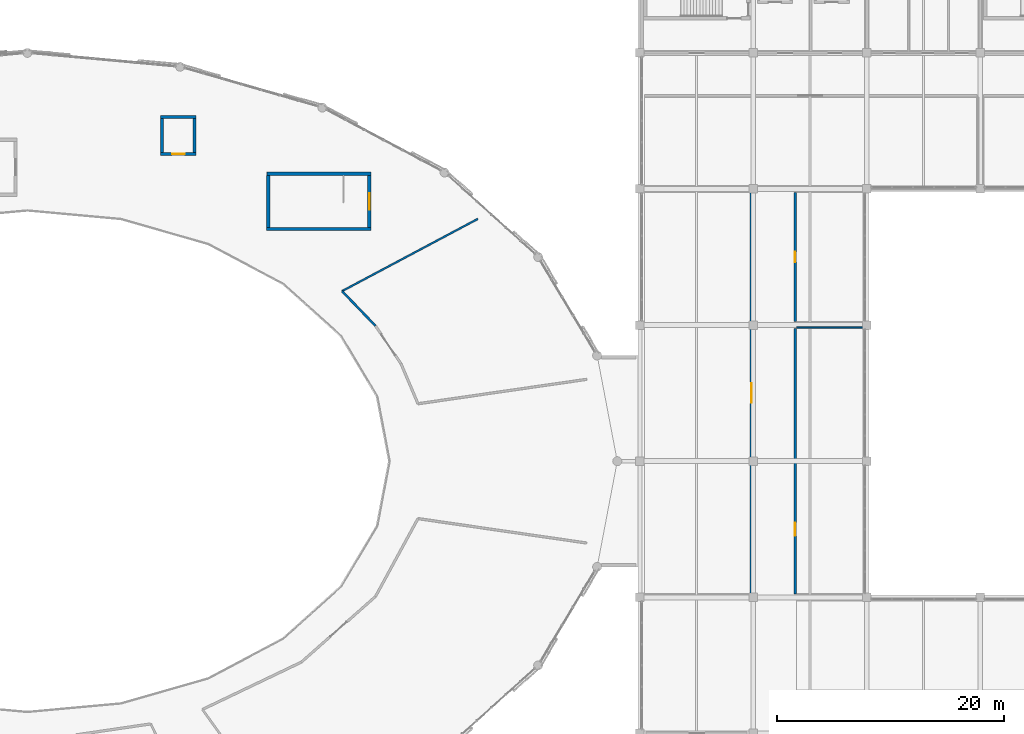
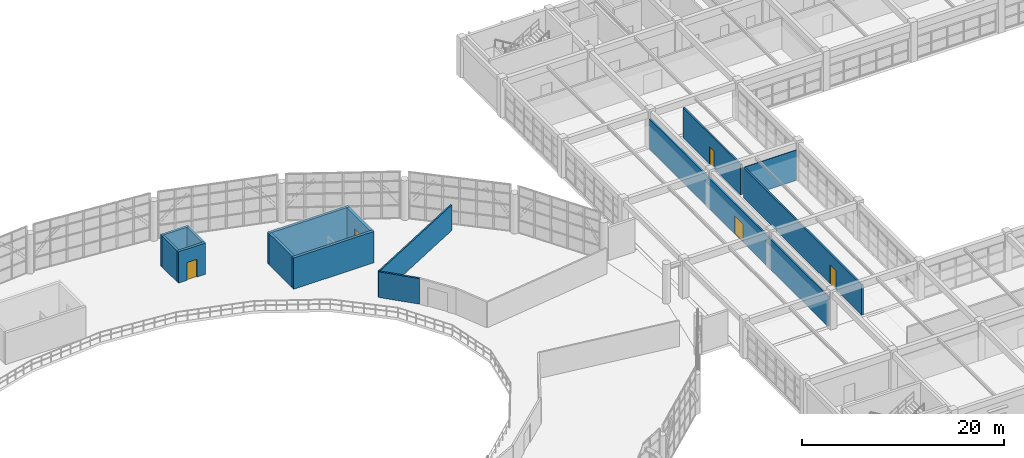
# One storey, part 92 of 109: 14 walls, 5 doors, 5 openings.
"""IFC4 building model written with IfcOpenShell, lengths in metres."""

from ifc_helpers import new_model, si_unit, direction, frame, frame_2d, origin, place, context, subcontext, project, spatial, rectangle, extrude, material, layer, layer_set, type_object, element, fill, save


model = new_model("IFC4")

# Units and contexts
model_context = context("Model", 3, precision=1e-05, world=origin(), true_north=direction((0.0, 1.0)))
body_context = subcontext(model_context, "Body", "Model", "MODEL_VIEW")
ifc_project = project(units=[si_unit("LENGTHUNIT", "METRE"), si_unit("AREAUNIT", "SQUARE_METRE"), si_unit("VOLUMEUNIT", "CUBIC_METRE"), si_unit("PLANEANGLEUNIT", "RADIAN"), si_unit("MASSUNIT", "GRAM", prefix="KILO")], contexts=[model_context])

# Site, building, storey
site_placement = place(None, origin())
site = spatial("IfcSite", under=ifc_project, at=site_placement, CompositionType="ELEMENT")
building_placement = place(site_placement, origin())
building = spatial("IfcBuilding", under=site, at=building_placement, Name="Kivolera Central Railway Station", CompositionType="ELEMENT")
storey_placement = place(building_placement, frame((0.0, 0.0, 9.60009765625)))
storey = spatial("IfcBuildingStorey", under=building, at=storey_placement, Name="L02", CompositionType="ELEMENT", Elevation=9.60009765625)

# Wall
ifc_material_1 = material(Name="Swahili coral limestone", Category="masonry")
ifc_layer_1 = layer(ifc_material_1, 0.199951171875, Name="Swahili coral limestone")
ifc_layer_set_1 = layer_set([ifc_layer_1], Name="Swahili coral limestone")
wall_type_1 = type_object("IfcWallType", Name="WL-COR-200", PredefinedType="PARTITIONING", material=ifc_layer_set_1)
wall_1_placement = place(storey_placement, frame((94.68701171875, 101.928955078125, 0.0), z_axis=(0.0, 0.0, 1.0), x_axis=(-0.69368693416, 0.720276639476, 0.0)))
element("IfcWall", 1, at=wall_1_placement, inside=storey, type_object=wall_type_1, Name="L02 Upper Concourse Travel Accessories Retail Shop Gallery Wall 3", PredefinedType="PARTITIONING", context=body_context, shape_type="SweptSolid", body=[
    extrude(rectangle(XDim=4.251220703125, YDim=0.199951171875, at=frame_2d((2.12548828125, 0.0))), origin(), (0.0, 0.0, 1.0), 3.099853515625),
])

# Wall, opening, door
wall_2_placement = place(storey_placement, frame((127.820068359375, 78.300048828125, 0.0), z_axis=(0.0, 0.0, 1.0), x_axis=(0.0, 1.0, 0.0)))
wall_2 = element("IfcWall", 2, at=wall_2_placement, inside=storey, type_object=wall_type_1, Name="L02 International Rail Travel Centre Shop Corridor Wall", PredefinedType="PARTITIONING", context=body_context, shape_type="SweptSolid", body=[
    extrude(rectangle(XDim=35.39990234375, YDim=0.199951171875, at=frame_2d((17.699951171875, 0.0))), origin(), (0.0, 0.0, 1.0), 3.657958984375),
])
opening_1_placement = place(wall_2_placement, frame((16.85009765625, 0.0, 0.0)))
opening_1 = element("IfcOpeningElement", 3, at=opening_1_placement, cuts=wall_2, Name="Opening D-DB-03", PredefinedType="OPENING", context=body_context, shape_type="SweptSolid", body=[
    extrude(rectangle(XDim=1.699951171875, YDim=2.199951171875, at=frame_2d((0.85009765625, 1.10009765625))), frame((0.0, 0.10986328125, 0.0), z_axis=(0.0, -1.0, 0.0), x_axis=(1.0, 0.0, 0.0)), (0.0, 0.0, 1.0), 0.219970703125),
])
ifc_material_2 = material(Name="Anodised aluminium", Category="aluminium")
door_type_1 = type_object("IfcDoorType", Name="DR-D-DB-03", OperationType="NOTDEFINED", PredefinedType="DOOR", material=ifc_material_2)
door_1_placement = place(opening_1_placement, origin())
door_1 = element("IfcDoor", 4, at=door_1_placement, inside=storey, type_object=door_type_1, Name="L02 International Rail Travel Centre Shop Door", OperationType="DOUBLE_DOOR_SINGLE_SWING", OverallHeight=2.199951171875, OverallWidth=1.699951171875, PredefinedType="DOOR", context=body_context, shape_type="SweptSolid", body=[
    extrude(rectangle(XDim=1.699951171875, YDim=2.199951171875, at=frame_2d((0.85009765625, 1.10009765625))), frame((0.0, 0.02490234375, 0.0), z_axis=(0.0, -1.0, 0.0), x_axis=(1.0, 0.0, 0.0)), (0.0, 0.0, 1.0), 0.050048828125),
])
fill(opening_1, door_1)

wall_3_placement = place(storey_placement, frame((131.679931640625, 78.300048828125, 0.0), z_axis=(0.0, 0.0, 1.0), x_axis=(0.0, 1.0, 0.0)))
wall_3 = element("IfcWall", 5, at=wall_3_placement, inside=storey, type_object=wall_type_1, Name="L02 Family and Children Waiting Lounge Corridor Wall", PredefinedType="PARTITIONING", context=body_context, shape_type="SweptSolid", body=[
    extrude(rectangle(XDim=23.39990234375, YDim=0.199951171875, at=frame_2d((11.699951171875, 0.0))), origin(), (0.0, 0.0, 1.0), 3.657958984375),
])
opening_2_placement = place(wall_3_placement, frame((5.125, 0.0, 0.0)))
opening_2 = element("IfcOpeningElement", 6, at=opening_2_placement, cuts=wall_3, Name="Opening D-SG-15", PredefinedType="OPENING", context=body_context, shape_type="SweptSolid", body=[
    extrude(rectangle(XDim=1.14990234375, YDim=2.300048828125, at=frame_2d((0.574951171875, 1.14990234375))), frame((0.0, 0.10986328125, 0.0), z_axis=(0.0, -1.0, 0.0), x_axis=(1.0, 0.0, 0.0)), (0.0, 0.0, 1.0), 0.219970703125),
])
ifc_material_3 = material(Name="Hardwood mvule timber", Category="wood")
door_type_2 = type_object("IfcDoorType", Name="DR-D-SG-15", OperationType="NOTDEFINED", PredefinedType="DOOR", material=ifc_material_3)
door_2_placement = place(opening_2_placement, origin())
door_2 = element("IfcDoor", 7, at=door_2_placement, inside=storey, type_object=door_type_2, Name="L02 Family and Children Waiting Lounge Door", OperationType="SINGLE_SWING_LEFT", OverallHeight=2.300048828125, OverallWidth=1.14990234375, PredefinedType="DOOR", context=body_context, shape_type="SweptSolid", body=[
    extrude(rectangle(XDim=1.14990234375, YDim=2.300048828125, at=frame_2d((0.574951171875, 1.14990234375))), frame((0.0, 0.02490234375, 0.0), z_axis=(0.0, -1.0, 0.0), x_axis=(1.0, 0.0, 0.0)), (0.0, 0.0, 1.0), 0.050048828125),
])
fill(opening_2, door_2)

wall_4_placement = place(storey_placement, frame((131.679931640625, 102.300048828125, 0.0), z_axis=(0.0, 0.0, 1.0), x_axis=(0.0, 1.0, 0.0)))
wall_4 = element("IfcWall", 8, at=wall_4_placement, inside=storey, type_object=wall_type_1, Name="L02 Parents' Nursing Care Room Corridor Wall", PredefinedType="PARTITIONING", context=body_context, shape_type="SweptSolid", body=[
    extrude(rectangle(XDim=11.39990234375, YDim=0.199951171875, at=frame_2d((5.699951171875, 0.0))), origin(), (0.0, 0.0, 1.0), 3.657958984375),
])
opening_3_placement = place(wall_4_placement, frame((5.25, 0.0, 0.0)))
opening_3 = element("IfcOpeningElement", 9, at=opening_3_placement, cuts=wall_4, Name="Opening D-SG-01", PredefinedType="OPENING", context=body_context, shape_type="SweptSolid", body=[
    extrude(rectangle(XDim=0.89990234375, YDim=2.10009765625, at=frame_2d((0.449951171875, 1.050048828125))), frame((0.0, 0.10986328125, 0.0), z_axis=(0.0, -1.0, 0.0), x_axis=(1.0, 0.0, 0.0)), (0.0, 0.0, 1.0), 0.219970703125),
])
door_type_3 = type_object("IfcDoorType", Name="DR-D-SG-01", OperationType="NOTDEFINED", PredefinedType="DOOR", material=ifc_material_3)
door_3_placement = place(opening_3_placement, origin())
door_3 = element("IfcDoor", 10, at=door_3_placement, inside=storey, type_object=door_type_3, Name="L02 Parents' Nursing Care Room Door", OperationType="SINGLE_SWING_RIGHT", OverallHeight=2.10009765625, OverallWidth=0.89990234375, PredefinedType="DOOR", context=body_context, shape_type="SweptSolid", body=[
    extrude(rectangle(XDim=0.89990234375, YDim=2.10009765625, at=frame_2d((0.449951171875, 1.050048828125))), frame((0.0, 0.02490234375, 0.0), z_axis=(0.0, -1.0, 0.0), x_axis=(1.0, 0.0, 0.0)), (0.0, 0.0, 1.0), 0.050048828125),
])
fill(opening_3, door_3)

# Walls
ifc_material_4 = material(Name="Concrete C40/50", Category="concrete")
ifc_layer_2 = layer(ifc_material_4, 0.300048828125, Name="Concrete C40/50")
ifc_layer_set_2 = layer_set([ifc_layer_2], Name="Concrete C40/50")
wall_type_2 = type_object("IfcWallType", Name="WL-CORE-300", PredefinedType="SHEAR", material=ifc_layer_set_2)
for number, where, z_axis, x_axis, name in (
    (11, (94.300048828125, 110.469970703125, 0.0), (0.0, 0.0, 1.0), (-1.0, 0.0, 0.0), "L02 ST7 Core Right Shear Wall"),
    (12, (85.10009765625, 115.35009765625, 0.0), (0.0, 0.0, 1.0), (1.0, 0.0, 0.0), "L02 ST7 Core Left Shear Wall"),
):
    element("IfcWall", number, at=place(storey_placement, frame(where, z_axis=z_axis, x_axis=x_axis)), inside=storey, type_object=wall_type_2, Name=name, PredefinedType="SHEAR", context=body_context, shape_type="SweptSolid", body=[
        extrude(rectangle(XDim=9.199951171875, YDim=0.300048828125, at=frame_2d((4.60009765625, 0.0))), origin(), (0.0, 0.0, 1.0), 3.7998046875),
    ])

# Wall, opening, door
wall_5_placement = place(storey_placement, frame((94.14990234375, 115.199951171875, 0.0), z_axis=(0.0, 0.0, 1.0), x_axis=(0.0, -1.0, 0.0)))
wall_5 = element("IfcWall", 13, at=wall_5_placement, inside=storey, type_object=wall_type_2, Name="L02 ST7 Core Near Shear Wall", PredefinedType="SHEAR", context=body_context, shape_type="SweptSolid", body=[
    extrude(rectangle(XDim=4.579833984375, YDim=0.300048828125, at=frame_2d((2.2900390625, 0.0))), origin(), (0.0, 0.0, 1.0), 3.7998046875),
])
opening_4_placement = place(wall_5_placement, frame((1.56494140625, 0.0, 0.0)))
opening_4 = element("IfcOpeningElement", 14, at=opening_4_placement, cuts=wall_5, Name="Opening D-STAIR-1450", PredefinedType="OPENING", context=body_context, shape_type="SweptSolid", body=[
    extrude(rectangle(XDim=1.449951171875, YDim=2.199951171875, at=frame_2d((0.72509765625, 1.10009765625))), frame((0.0, 0.159912109375, 0.0), z_axis=(0.0, -1.0, 0.0), x_axis=(1.0, 0.0, 0.0)), (0.0, 0.0, 1.0), 0.320068359375),
])
door_type_4 = type_object("IfcDoorType", Name="DR-D-STAIR-1450", OperationType="NOTDEFINED", PredefinedType="DOOR", material=ifc_material_3)
door_4_placement = place(opening_4_placement, origin())
door_4 = element("IfcDoor", 15, at=door_4_placement, inside=storey, type_object=door_type_4, Name="L02 ST7 Concourse/Platform Stair Fire Door", OperationType="SINGLE_SWING_LEFT", OverallHeight=2.199951171875, OverallWidth=1.449951171875, PredefinedType="DOOR", context=body_context, shape_type="SweptSolid", body=[
    extrude(rectangle(XDim=1.449951171875, YDim=2.199951171875, at=frame_2d((0.72509765625, 1.10009765625))), frame((0.0, 0.02490234375, 0.0), z_axis=(0.0, -1.0, 0.0), x_axis=(1.0, 0.0, 0.0)), (0.0, 0.0, 1.0), 0.050048828125),
])
fill(opening_4, door_4)

# Walls
wall_6_placement = place(storey_placement, frame((85.25, 110.6201171875, 0.0), z_axis=(0.0, 0.0, 1.0), x_axis=(0.0, 1.0, 0.0)))
element("IfcWall", 16, at=wall_6_placement, inside=storey, type_object=wall_type_2, Name="L02 ST7 Core Far Shear Wall", PredefinedType="SHEAR", context=body_context, shape_type="SweptSolid", body=[
    extrude(rectangle(XDim=4.579833984375, YDim=0.300048828125, at=frame_2d((2.2900390625, 0.0))), origin(), (0.0, 0.0, 1.0), 3.7998046875),
])
ifc_material_5 = material(Name="Gypsum plasterboard steel-stud partition")
ifc_layer_3 = layer(ifc_material_5, 0.1201171875, Name="Gypsum plasterboard steel-stud partition")
ifc_layer_set_3 = layer_set([ifc_layer_3], Name="Gypsum plasterboard steel-stud partition")
wall_type_3 = type_object("IfcWallType", Name="WL-PRT-120", PredefinedType="PARTITIONING", material=ifc_layer_set_3)
wall_7_placement = place(storey_placement, frame((131.800048828125, 101.800048828125, 0.0), z_axis=(0.0, 0.0, 1.0), x_axis=(1.0, 0.0, 0.0)))
element("IfcWall", 17, at=wall_7_placement, inside=storey, type_object=wall_type_3, Name="L02 Family and Children Waiting Lounge Partition Wall", PredefinedType="PARTITIONING", context=body_context, shape_type="SweptSolid", body=[
    extrude(rectangle(XDim=5.89990234375, YDim=0.1201171875, at=frame_2d((2.949951171875, 0.0))), origin(), (0.0, 0.0, 1.0), 3.657958984375),
])
ifc_layer_4 = layer(ifc_material_5, 0.1650390625, Name="Gypsum plasterboard steel-stud partition")
ifc_layer_set_4 = layer_set([ifc_layer_4], Name="Gypsum plasterboard steel-stud partition")
wall_type_4 = type_object("IfcWallType", Name="WL-PRT-165", PredefinedType="PARTITIONING", material=ifc_layer_set_4)
wall_8_placement = place(storey_placement, frame((91.738037109375, 104.990966796875, 0.0), z_axis=(0.0, 0.0, 1.0), x_axis=(0.882848577352, 0.469657736515, 0.0)))
element("IfcWall", 18, at=wall_8_placement, inside=storey, type_object=wall_type_4, Name="L02 Upper Concourse Travel Accessories Retail Shop Radial Partition R1", PredefinedType="PARTITIONING", context=body_context, shape_type="SweptSolid", body=[
    extrude(rectangle(XDim=13.5673828125, YDim=0.1650390625, at=frame_2d((6.78369140625, 0.0))), origin(), (0.0, 0.0, 1.0), 3.099853515625),
])

# Wall, opening, door
ifc_layer_5 = layer(ifc_material_4, 0.260009765625, Name="Concrete C40/50")
ifc_layer_set_5 = layer_set([ifc_layer_5], Name="Concrete C40/50")
wall_type_5 = type_object("IfcWallType", Name="WL-SHAFT-260", PredefinedType="SHEAR", material=ifc_layer_set_5)
wall_9_placement = place(storey_placement, frame((75.739990234375, 117.070068359375, 0.0), z_axis=(0.0, 0.0, 1.0), x_axis=(1.0, 0.0, 0.0)))
wall_9 = element("IfcWall", 19, at=wall_9_placement, inside=storey, type_object=wall_type_5, Name="L02 Lift PL3 Front Shaft Wall", PredefinedType="SHEAR", context=body_context, shape_type="SweptSolid", body=[
    extrude(rectangle(XDim=3.1201171875, YDim=0.260009765625, at=frame_2d((1.56005859375, 0.0))), origin(), (0.0, 0.0, 1.0), 3.7998046875),
])
opening_5_placement = place(wall_9_placement, frame((1.010009765625, 0.0, 0.0)))
opening_5 = element("IfcOpeningElement", 20, at=opening_5_placement, cuts=wall_9, Name="Opening LD-PAX-1100", PredefinedType="OPENING", context=body_context, shape_type="SweptSolid", body=[
    extrude(rectangle(XDim=1.10009765625, YDim=2.14990234375, at=frame_2d((0.550048828125, 1.074951171875))), frame((0.0, 0.139892578125, 0.0), z_axis=(0.0, -1.0, 0.0), x_axis=(1.0, 0.0, 0.0)), (0.0, 0.0, 1.0), 0.280029296875),
])
door_type_5 = type_object("IfcDoorType", Name="DR-LD-PAX-1100", OperationType="NOTDEFINED", PredefinedType="DOOR", material=ifc_material_2)
door_5_placement = place(opening_5_placement, origin())
door_5 = element("IfcDoor", 21, at=door_5_placement, inside=storey, type_object=door_type_5, Name="L02 Lift PL3 Sliding Landing Door", OperationType="SLIDING_TO_LEFT", OverallHeight=2.14990234375, OverallWidth=1.10009765625, PredefinedType="DOOR", context=body_context, shape_type="SweptSolid", body=[
    extrude(rectangle(XDim=1.10009765625, YDim=2.14990234375, at=frame_2d((0.550048828125, 1.074951171875))), frame((0.0, 0.02490234375, 0.0), z_axis=(0.0, -1.0, 0.0), x_axis=(1.0, 0.0, 0.0)), (0.0, 0.0, 1.0), 0.050048828125),
])
fill(opening_5, door_5)

# Walls
for number, where, z_axis, x_axis, name in (
    (22, (75.8701171875, 117.199951171875, 0.0), (0.0, 0.0, 1.0), (0.0, 1.0, 0.0), "L02 Lift PL3 West Shaft Wall"),
    (23, (78.72998046875, 117.199951171875, 0.0), (0.0, 0.0, 1.0), (0.0, 1.0, 0.0), "L02 Lift PL3 East Shaft Wall"),
):
    element("IfcWall", number, at=place(storey_placement, frame(where, z_axis=z_axis, x_axis=x_axis)), inside=storey, type_object=wall_type_5, Name=name, PredefinedType="SHEAR", context=body_context, shape_type="SweptSolid", body=[
        extrude(rectangle(XDim=3.0, YDim=0.260009765625, at=frame_2d((1.5, 0.0))), origin(), (0.0, 0.0, 1.0), 3.7998046875),
    ])
wall_10_placement = place(storey_placement, frame((75.739990234375, 120.330078125, 0.0), z_axis=(0.0, 0.0, 1.0), x_axis=(1.0, 0.0, 0.0)))
element("IfcWall", 24, at=wall_10_placement, inside=storey, type_object=wall_type_5, Name="L02 Lift PL3 Rear Shaft Wall", PredefinedType="SHEAR", context=body_context, shape_type="SweptSolid", body=[
    extrude(rectangle(XDim=3.1201171875, YDim=0.260009765625, at=frame_2d((1.56005859375, 0.0))), origin(), (0.0, 0.0, 1.0), 3.7998046875),
])

save(model, "model.ifc")
